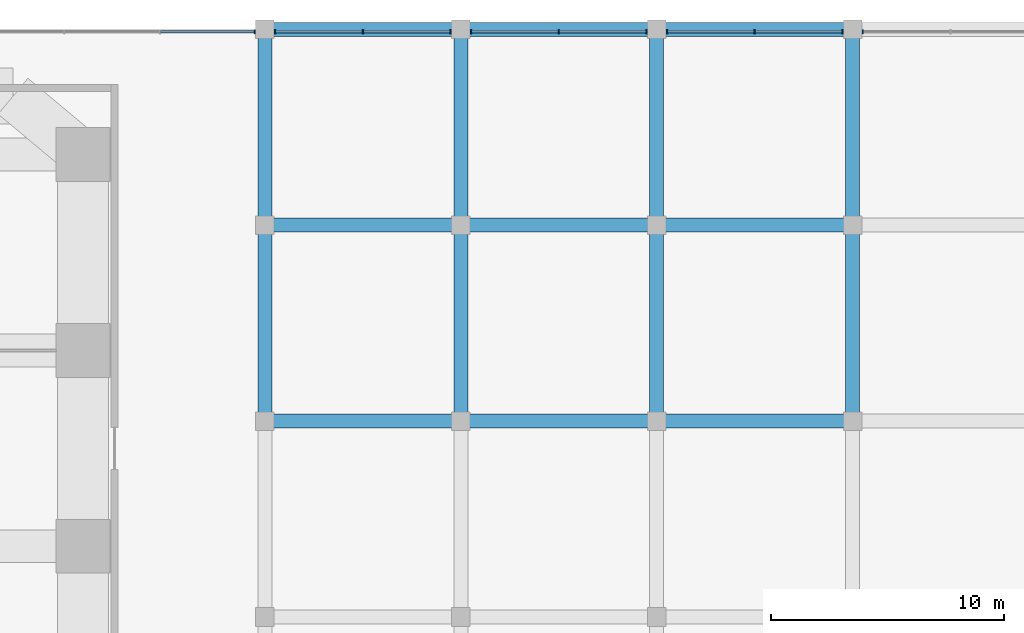
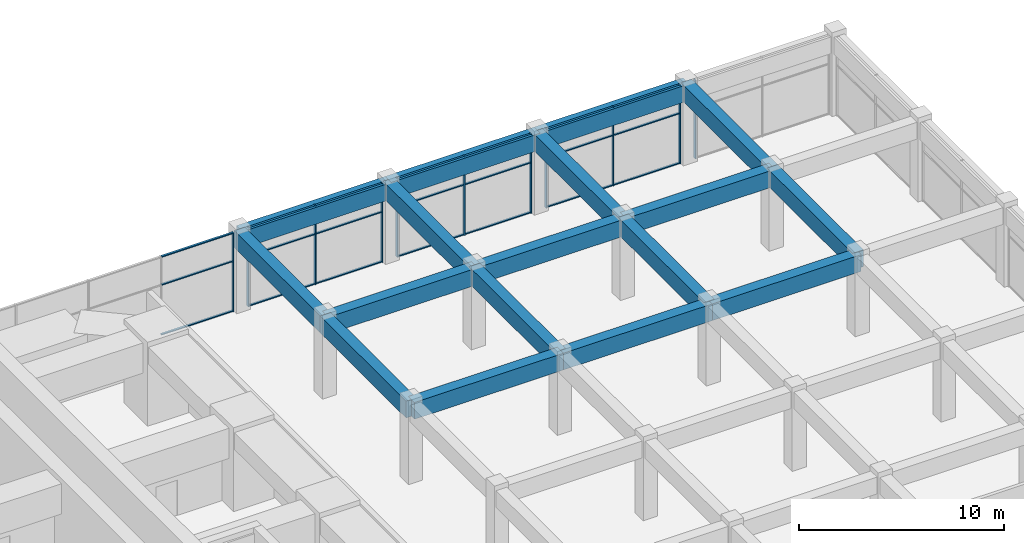
# One storey, part 21 of 34: 32 members, 17 beams, 5 elements without a shape of their own.
"""IFC4 building model written with IfcOpenShell, lengths in metres."""

from ifc_helpers import new_model, si_unit, direction, frame, origin, origin_2d, place, context, subcontext, project, spatial, rectangle, extrude, material, material_profile, profile_set, type_object, element, aggregate, save


model = new_model("IFC4")

# Units and contexts
model_context = context("Model", 3, precision=1e-05, world=origin(), true_north=direction((0.0, 1.0)))
body_context = subcontext(model_context, "Body", "Model", "MODEL_VIEW")
ifc_project = project(units=[si_unit("LENGTHUNIT", "METRE"), si_unit("AREAUNIT", "SQUARE_METRE"), si_unit("VOLUMEUNIT", "CUBIC_METRE"), si_unit("PLANEANGLEUNIT", "RADIAN"), si_unit("MASSUNIT", "GRAM", prefix="KILO")], contexts=[model_context])

# Site, building, storey
site_placement = place(None, origin())
site = spatial("IfcSite", under=ifc_project, at=site_placement, CompositionType="ELEMENT")
building_placement = place(site_placement, origin())
building = spatial("IfcBuilding", under=site, at=building_placement, Name="Impinga Residences", CompositionType="ELEMENT")
storey_placement = place(building_placement, frame((0.0, 0.0, 16.0)))
storey = spatial("IfcBuildingStorey", under=building, at=storey_placement, Name="L03", CompositionType="ELEMENT", Elevation=16.0)

# Curtain wall, member
ifc_material_1 = material(Name="Aluminium stick curtain wall", Category="aluminium")
curtain_wall_type = type_object("IfcCurtainWallType", Name="CW1 podium amenity curtain wall", PredefinedType="USERDEFINED", material=ifc_material_1)
curtain_wall_1_placement = place(storey_placement, origin())
curtain_wall_1 = element("IfcCurtainWall", 1, at=curtain_wall_1_placement, inside=storey, type_object=curtain_wall_type, Name="Curtain wall CW1 L03", ObjectType="STICK CURTAIN WALL", PredefinedType="USERDEFINED")
ifc_material_2 = material(Name="Aluminium mullion", Category="aluminium")
ifc_material_profile_1 = material_profile(ifc_material_2, rectangle(XDim=0.06005859375, YDim=0.179931640625, at=origin_2d()), Name="60x180 mullion")
ifc_profile_set_1 = profile_set([ifc_material_profile_1], Name="Aluminium mullion")
member_type_1 = type_object("IfcMemberType", Name="CW1-M mullion 60x180", PredefinedType="MULLION", material=ifc_profile_set_1)
member_1_placement = place(storey_placement, frame((16.366943359375, 50.300048828125, 0.0), z_axis=(0.0, 0.0, 1.0), x_axis=(1.0, 0.0, 0.0)))
member_1 = element("IfcMember", 2, at=member_1_placement, type_object=member_type_1, Name="CW1 mullion 9", PredefinedType="MULLION", context=body_context, shape_type="SweptSolid", body=[
    extrude(rectangle(XDim=0.06005859375, YDim=0.179931640625, at=origin_2d()), origin(), (0.0, 0.0, 1.0), 4.699951171875),
])

# Curtain wall, members
curtain_wall_2_placement = place(storey_placement, origin())
curtain_wall_2 = element("IfcCurtainWall", 3, at=curtain_wall_2_placement, inside=storey, type_object=curtain_wall_type, Name="Curtain wall CW1 L03", ObjectType="STICK CURTAIN WALL", PredefinedType="USERDEFINED")
member_2_placement = place(storey_placement, frame((17.23291015625, 50.300048828125, 0.0), z_axis=(0.0, 0.0, 1.0), x_axis=(1.0, 0.0, 0.0)))
member_2 = element("IfcMember", 4, at=member_2_placement, type_object=member_type_1, Name="CW1 mullion 1", PredefinedType="MULLION", context=body_context, shape_type="SweptSolid", body=[
    extrude(rectangle(XDim=0.06005859375, YDim=0.179931640625, at=origin_2d()), origin(), (0.0, 0.0, 1.0), 4.699951171875),
])
member_3_placement = place(storey_placement, frame((21.0, 50.300048828125, 0.0), z_axis=(0.0, 0.0, 1.0), x_axis=(1.0, 0.0, 0.0)))
member_3 = element("IfcMember", 5, at=member_3_placement, type_object=member_type_1, Name="CW1 mullion 2", PredefinedType="MULLION", context=body_context, shape_type="SweptSolid", body=[
    extrude(rectangle(XDim=0.06005859375, YDim=0.179931640625, at=origin_2d()), origin(), (0.0, 0.0, 1.0), 4.699951171875),
])
member_4_placement = place(storey_placement, frame((24.76708984375, 50.300048828125, 0.0), z_axis=(0.0, 0.0, 1.0), x_axis=(1.0, 0.0, 0.0)))
member_4 = element("IfcMember", 6, at=member_4_placement, type_object=member_type_1, Name="CW1 mullion 3", PredefinedType="MULLION", context=body_context, shape_type="SweptSolid", body=[
    extrude(rectangle(XDim=0.06005859375, YDim=0.179931640625, at=origin_2d()), origin(), (0.0, 0.0, 1.0), 4.699951171875),
])

curtain_wall_3_placement = place(storey_placement, origin())
curtain_wall_3 = element("IfcCurtainWall", 7, at=curtain_wall_3_placement, inside=storey, type_object=curtain_wall_type, Name="Curtain wall CW1 L03", ObjectType="STICK CURTAIN WALL", PredefinedType="USERDEFINED")
member_5_placement = place(storey_placement, frame((25.633056640625, 50.300048828125, 0.0), z_axis=(0.0, 0.0, 1.0), x_axis=(1.0, 0.0, 0.0)))
member_5 = element("IfcMember", 8, at=member_5_placement, type_object=member_type_1, Name="CW1 mullion 1", PredefinedType="MULLION", context=body_context, shape_type="SweptSolid", body=[
    extrude(rectangle(XDim=0.06005859375, YDim=0.179931640625, at=origin_2d()), origin(), (0.0, 0.0, 1.0), 4.699951171875),
])
member_6_placement = place(storey_placement, frame((29.39990234375, 50.300048828125, 0.0), z_axis=(0.0, 0.0, 1.0), x_axis=(1.0, 0.0, 0.0)))
member_6 = element("IfcMember", 9, at=member_6_placement, type_object=member_type_1, Name="CW1 mullion 2", PredefinedType="MULLION", context=body_context, shape_type="SweptSolid", body=[
    extrude(rectangle(XDim=0.06005859375, YDim=0.179931640625, at=origin_2d()), origin(), (0.0, 0.0, 1.0), 4.699951171875),
])
member_7_placement = place(storey_placement, frame((33.1669921875, 50.300048828125, 0.0), z_axis=(0.0, 0.0, 1.0), x_axis=(1.0, 0.0, 0.0)))
member_7 = element("IfcMember", 10, at=member_7_placement, type_object=member_type_1, Name="CW1 mullion 3", PredefinedType="MULLION", context=body_context, shape_type="SweptSolid", body=[
    extrude(rectangle(XDim=0.06005859375, YDim=0.179931640625, at=origin_2d()), origin(), (0.0, 0.0, 1.0), 4.699951171875),
])

curtain_wall_4_placement = place(storey_placement, origin())
curtain_wall_4 = element("IfcCurtainWall", 11, at=curtain_wall_4_placement, inside=storey, type_object=curtain_wall_type, Name="Curtain wall CW1 L03", ObjectType="STICK CURTAIN WALL", PredefinedType="USERDEFINED")
member_8_placement = place(storey_placement, frame((34.032958984375, 50.300048828125, 0.0), z_axis=(0.0, 0.0, 1.0), x_axis=(1.0, 0.0, 0.0)))
member_8 = element("IfcMember", 12, at=member_8_placement, type_object=member_type_1, Name="CW1 mullion 1", PredefinedType="MULLION", context=body_context, shape_type="SweptSolid", body=[
    extrude(rectangle(XDim=0.06005859375, YDim=0.179931640625, at=origin_2d()), origin(), (0.0, 0.0, 1.0), 4.699951171875),
])
member_9_placement = place(storey_placement, frame((37.800048828125, 50.300048828125, 0.0), z_axis=(0.0, 0.0, 1.0), x_axis=(1.0, 0.0, 0.0)))
member_9 = element("IfcMember", 13, at=member_9_placement, type_object=member_type_1, Name="CW1 mullion 2", PredefinedType="MULLION", context=body_context, shape_type="SweptSolid", body=[
    extrude(rectangle(XDim=0.06005859375, YDim=0.179931640625, at=origin_2d()), origin(), (0.0, 0.0, 1.0), 4.699951171875),
])
member_10_placement = place(storey_placement, frame((41.56689453125, 50.300048828125, 0.0), z_axis=(0.0, 0.0, 1.0), x_axis=(1.0, 0.0, 0.0)))
member_10 = element("IfcMember", 14, at=member_10_placement, type_object=member_type_1, Name="CW1 mullion 3", PredefinedType="MULLION", context=body_context, shape_type="SweptSolid", body=[
    extrude(rectangle(XDim=0.06005859375, YDim=0.179931640625, at=origin_2d()), origin(), (0.0, 0.0, 1.0), 4.699951171875),
])

# Curtain wall, member
curtain_wall_5_placement = place(storey_placement, origin())
curtain_wall_5 = element("IfcCurtainWall", 15, at=curtain_wall_5_placement, inside=storey, type_object=curtain_wall_type, Name="Curtain wall CW1 L03", ObjectType="STICK CURTAIN WALL", PredefinedType="USERDEFINED")
member_11_placement = place(storey_placement, frame((42.43310546875, 50.300048828125, 0.0), z_axis=(0.0, 0.0, 1.0), x_axis=(1.0, 0.0, 0.0)))
member_11 = element("IfcMember", 16, at=member_11_placement, type_object=member_type_1, Name="CW1 mullion 1", PredefinedType="MULLION", context=body_context, shape_type="SweptSolid", body=[
    extrude(rectangle(XDim=0.06005859375, YDim=0.179931640625, at=origin_2d()), origin(), (0.0, 0.0, 1.0), 4.699951171875),
])
aggregate(curtain_wall_5, [member_11])

# Member
ifc_material_3 = material(Name="Aluminium transom", Category="aluminium")
ifc_material_profile_2 = material_profile(ifc_material_3, rectangle(XDim=0.06005859375, YDim=0.1201171875, at=origin_2d()), Name="60x120 transom")
ifc_profile_set_2 = profile_set([ifc_material_profile_2], Name="Aluminium transom")
member_type_2 = type_object("IfcMemberType", Name="CW1-T transom 60x120", PredefinedType="USERDEFINED", material=ifc_profile_set_2)
member_12_placement = place(storey_placement, frame((12.32763671875, 50.300048828125, 0.030029296875), z_axis=(1.0, 0.0, 0.0), x_axis=(0.0, 0.0, 1.0)))
member_12 = element("IfcMember", 17, at=member_12_placement, type_object=member_type_2, Name="CW1 transom 8.1", ObjectType="TRANSOM", PredefinedType="USERDEFINED", context=body_context, shape_type="SweptSolid", body=[
    extrude(rectangle(XDim=0.06005859375, YDim=0.1201171875, at=origin_2d()), origin(), (0.0, 0.0, 1.0), 4.00927734375),
])

member_13_placement = place(storey_placement, frame((12.32763671875, 50.300048828125, 3.0), z_axis=(1.0, 0.0, 0.0), x_axis=(0.0, 0.0, 1.0)))
member_13 = element("IfcMember", 18, at=member_13_placement, type_object=member_type_2, Name="CW1 transom 8.2", ObjectType="TRANSOM", PredefinedType="USERDEFINED", context=body_context, shape_type="SweptSolid", body=[
    extrude(rectangle(XDim=0.06005859375, YDim=0.1201171875, at=origin_2d()), origin(), (0.0, 0.0, 1.0), 4.00927734375),
])

member_14_placement = place(storey_placement, frame((12.32763671875, 50.300048828125, 4.669921875), z_axis=(1.0, 0.0, 0.0), x_axis=(0.0, 0.0, 1.0)))
member_14 = element("IfcMember", 19, at=member_14_placement, type_object=member_type_2, Name="CW1 transom 8.3", ObjectType="TRANSOM", PredefinedType="USERDEFINED", context=body_context, shape_type="SweptSolid", body=[
    extrude(rectangle(XDim=0.06005859375, YDim=0.1201171875, at=origin_2d()), origin(), (0.0, 0.0, 1.0), 4.00927734375),
])

aggregate(curtain_wall_1, [member_1, member_12, member_13, member_14])

member_15_placement = place(storey_placement, frame((17.262939453125, 50.300048828125, 0.030029296875), z_axis=(1.0, 0.0, 0.0), x_axis=(0.0, 0.0, 1.0)))
member_15 = element("IfcMember", 20, at=member_15_placement, type_object=member_type_2, Name="CW1 transom 1.1", ObjectType="TRANSOM", PredefinedType="USERDEFINED", context=body_context, shape_type="SweptSolid", body=[
    extrude(rectangle(XDim=0.06005859375, YDim=0.1201171875, at=origin_2d()), origin(), (0.0, 0.0, 1.0), 3.70703125),
])

member_16_placement = place(storey_placement, frame((17.262939453125, 50.300048828125, 3.0), z_axis=(1.0, 0.0, 0.0), x_axis=(0.0, 0.0, 1.0)))
member_16 = element("IfcMember", 21, at=member_16_placement, type_object=member_type_2, Name="CW1 transom 1.2", ObjectType="TRANSOM", PredefinedType="USERDEFINED", context=body_context, shape_type="SweptSolid", body=[
    extrude(rectangle(XDim=0.06005859375, YDim=0.1201171875, at=origin_2d()), origin(), (0.0, 0.0, 1.0), 3.70703125),
])

member_17_placement = place(storey_placement, frame((17.262939453125, 50.300048828125, 4.669921875), z_axis=(1.0, 0.0, 0.0), x_axis=(0.0, 0.0, 1.0)))
member_17 = element("IfcMember", 22, at=member_17_placement, type_object=member_type_2, Name="CW1 transom 1.3", ObjectType="TRANSOM", PredefinedType="USERDEFINED", context=body_context, shape_type="SweptSolid", body=[
    extrude(rectangle(XDim=0.06005859375, YDim=0.1201171875, at=origin_2d()), origin(), (0.0, 0.0, 1.0), 3.70703125),
])

member_18_placement = place(storey_placement, frame((21.030029296875, 50.300048828125, 0.030029296875), z_axis=(1.0, 0.0, 0.0), x_axis=(0.0, 0.0, 1.0)))
member_18 = element("IfcMember", 23, at=member_18_placement, type_object=member_type_2, Name="CW1 transom 2.1", ObjectType="TRANSOM", PredefinedType="USERDEFINED", context=body_context, shape_type="SweptSolid", body=[
    extrude(rectangle(XDim=0.06005859375, YDim=0.1201171875, at=origin_2d()), origin(), (0.0, 0.0, 1.0), 3.70703125),
])

member_19_placement = place(storey_placement, frame((21.030029296875, 50.300048828125, 3.0), z_axis=(1.0, 0.0, 0.0), x_axis=(0.0, 0.0, 1.0)))
member_19 = element("IfcMember", 24, at=member_19_placement, type_object=member_type_2, Name="CW1 transom 2.2", ObjectType="TRANSOM", PredefinedType="USERDEFINED", context=body_context, shape_type="SweptSolid", body=[
    extrude(rectangle(XDim=0.06005859375, YDim=0.1201171875, at=origin_2d()), origin(), (0.0, 0.0, 1.0), 3.70703125),
])

member_20_placement = place(storey_placement, frame((21.030029296875, 50.300048828125, 4.669921875), z_axis=(1.0, 0.0, 0.0), x_axis=(0.0, 0.0, 1.0)))
member_20 = element("IfcMember", 25, at=member_20_placement, type_object=member_type_2, Name="CW1 transom 2.3", ObjectType="TRANSOM", PredefinedType="USERDEFINED", context=body_context, shape_type="SweptSolid", body=[
    extrude(rectangle(XDim=0.06005859375, YDim=0.1201171875, at=origin_2d()), origin(), (0.0, 0.0, 1.0), 3.70703125),
])

aggregate(curtain_wall_2, [member_2, member_3, member_4, member_15, member_16, member_17, member_18, member_19, member_20])

member_21_placement = place(storey_placement, frame((25.6630859375, 50.300048828125, 0.030029296875), z_axis=(1.0, 0.0, 0.0), x_axis=(0.0, 0.0, 1.0)))
member_21 = element("IfcMember", 26, at=member_21_placement, type_object=member_type_2, Name="CW1 transom 1.1", ObjectType="TRANSOM", PredefinedType="USERDEFINED", context=body_context, shape_type="SweptSolid", body=[
    extrude(rectangle(XDim=0.06005859375, YDim=0.1201171875, at=origin_2d()), origin(), (0.0, 0.0, 1.0), 3.70703125),
])

member_22_placement = place(storey_placement, frame((25.6630859375, 50.300048828125, 3.0), z_axis=(1.0, 0.0, 0.0), x_axis=(0.0, 0.0, 1.0)))
member_22 = element("IfcMember", 27, at=member_22_placement, type_object=member_type_2, Name="CW1 transom 1.2", ObjectType="TRANSOM", PredefinedType="USERDEFINED", context=body_context, shape_type="SweptSolid", body=[
    extrude(rectangle(XDim=0.06005859375, YDim=0.1201171875, at=origin_2d()), origin(), (0.0, 0.0, 1.0), 3.70703125),
])

member_23_placement = place(storey_placement, frame((25.6630859375, 50.300048828125, 4.669921875), z_axis=(1.0, 0.0, 0.0), x_axis=(0.0, 0.0, 1.0)))
member_23 = element("IfcMember", 28, at=member_23_placement, type_object=member_type_2, Name="CW1 transom 1.3", ObjectType="TRANSOM", PredefinedType="USERDEFINED", context=body_context, shape_type="SweptSolid", body=[
    extrude(rectangle(XDim=0.06005859375, YDim=0.1201171875, at=origin_2d()), origin(), (0.0, 0.0, 1.0), 3.70703125),
])

member_24_placement = place(storey_placement, frame((29.429931640625, 50.300048828125, 0.030029296875), z_axis=(1.0, 0.0, 0.0), x_axis=(0.0, 0.0, 1.0)))
member_24 = element("IfcMember", 29, at=member_24_placement, type_object=member_type_2, Name="CW1 transom 2.1", ObjectType="TRANSOM", PredefinedType="USERDEFINED", context=body_context, shape_type="SweptSolid", body=[
    extrude(rectangle(XDim=0.06005859375, YDim=0.1201171875, at=origin_2d()), origin(), (0.0, 0.0, 1.0), 3.70703125),
])

member_25_placement = place(storey_placement, frame((29.429931640625, 50.300048828125, 3.0), z_axis=(1.0, 0.0, 0.0), x_axis=(0.0, 0.0, 1.0)))
member_25 = element("IfcMember", 30, at=member_25_placement, type_object=member_type_2, Name="CW1 transom 2.2", ObjectType="TRANSOM", PredefinedType="USERDEFINED", context=body_context, shape_type="SweptSolid", body=[
    extrude(rectangle(XDim=0.06005859375, YDim=0.1201171875, at=origin_2d()), origin(), (0.0, 0.0, 1.0), 3.70703125),
])

member_26_placement = place(storey_placement, frame((29.429931640625, 50.300048828125, 4.669921875), z_axis=(1.0, 0.0, 0.0), x_axis=(0.0, 0.0, 1.0)))
member_26 = element("IfcMember", 31, at=member_26_placement, type_object=member_type_2, Name="CW1 transom 2.3", ObjectType="TRANSOM", PredefinedType="USERDEFINED", context=body_context, shape_type="SweptSolid", body=[
    extrude(rectangle(XDim=0.06005859375, YDim=0.1201171875, at=origin_2d()), origin(), (0.0, 0.0, 1.0), 3.70703125),
])

aggregate(curtain_wall_3, [member_5, member_6, member_7, member_21, member_22, member_23, member_24, member_25, member_26])

member_27_placement = place(storey_placement, frame((34.06298828125, 50.300048828125, 0.030029296875), z_axis=(1.0, 0.0, 0.0), x_axis=(0.0, 0.0, 1.0)))
member_27 = element("IfcMember", 32, at=member_27_placement, type_object=member_type_2, Name="CW1 transom 1.1", ObjectType="TRANSOM", PredefinedType="USERDEFINED", context=body_context, shape_type="SweptSolid", body=[
    extrude(rectangle(XDim=0.06005859375, YDim=0.1201171875, at=origin_2d()), origin(), (0.0, 0.0, 1.0), 3.70703125),
])

member_28_placement = place(storey_placement, frame((34.06298828125, 50.300048828125, 3.0), z_axis=(1.0, 0.0, 0.0), x_axis=(0.0, 0.0, 1.0)))
member_28 = element("IfcMember", 33, at=member_28_placement, type_object=member_type_2, Name="CW1 transom 1.2", ObjectType="TRANSOM", PredefinedType="USERDEFINED", context=body_context, shape_type="SweptSolid", body=[
    extrude(rectangle(XDim=0.06005859375, YDim=0.1201171875, at=origin_2d()), origin(), (0.0, 0.0, 1.0), 3.70703125),
])

member_29_placement = place(storey_placement, frame((34.06298828125, 50.300048828125, 4.669921875), z_axis=(1.0, 0.0, 0.0), x_axis=(0.0, 0.0, 1.0)))
member_29 = element("IfcMember", 34, at=member_29_placement, type_object=member_type_2, Name="CW1 transom 1.3", ObjectType="TRANSOM", PredefinedType="USERDEFINED", context=body_context, shape_type="SweptSolid", body=[
    extrude(rectangle(XDim=0.06005859375, YDim=0.1201171875, at=origin_2d()), origin(), (0.0, 0.0, 1.0), 3.70703125),
])

member_30_placement = place(storey_placement, frame((37.830078125, 50.300048828125, 0.030029296875), z_axis=(1.0, 0.0, 0.0), x_axis=(0.0, 0.0, 1.0)))
member_30 = element("IfcMember", 35, at=member_30_placement, type_object=member_type_2, Name="CW1 transom 2.1", ObjectType="TRANSOM", PredefinedType="USERDEFINED", context=body_context, shape_type="SweptSolid", body=[
    extrude(rectangle(XDim=0.06005859375, YDim=0.1201171875, at=origin_2d()), origin(), (0.0, 0.0, 1.0), 3.70703125),
])

member_31_placement = place(storey_placement, frame((37.830078125, 50.300048828125, 3.0), z_axis=(1.0, 0.0, 0.0), x_axis=(0.0, 0.0, 1.0)))
member_31 = element("IfcMember", 36, at=member_31_placement, type_object=member_type_2, Name="CW1 transom 2.2", ObjectType="TRANSOM", PredefinedType="USERDEFINED", context=body_context, shape_type="SweptSolid", body=[
    extrude(rectangle(XDim=0.06005859375, YDim=0.1201171875, at=origin_2d()), origin(), (0.0, 0.0, 1.0), 3.70703125),
])

member_32_placement = place(storey_placement, frame((37.830078125, 50.300048828125, 4.669921875), z_axis=(1.0, 0.0, 0.0), x_axis=(0.0, 0.0, 1.0)))
member_32 = element("IfcMember", 37, at=member_32_placement, type_object=member_type_2, Name="CW1 transom 2.3", ObjectType="TRANSOM", PredefinedType="USERDEFINED", context=body_context, shape_type="SweptSolid", body=[
    extrude(rectangle(XDim=0.06005859375, YDim=0.1201171875, at=origin_2d()), origin(), (0.0, 0.0, 1.0), 3.70703125),
])

aggregate(curtain_wall_4, [member_8, member_9, member_10, member_27, member_28, member_29, member_30, member_31, member_32])

# Beams
ifc_material_4 = material(Name="Concrete C60/75", Category="concrete")
ifc_material_profile_3 = material_profile(ifc_material_4, rectangle(XDim=0.60009765625, YDim=1.0, at=origin_2d()), Name="RC 600x1000")
ifc_profile_set_3 = profile_set([ifc_material_profile_3], Name="Concrete C60/75")
beam_type = type_object("IfcBeamType", Name="PB2 600x1000 podium beam", PredefinedType="BEAM", material=ifc_profile_set_3)
beam_1_placement = place(storey_placement, frame((16.800048828125, 33.60009765625, 4.199951171875), z_axis=(1.0, 0.0, 0.0), x_axis=(0.0, 1.0, 0.0)))
element("IfcBeam", 38, at=beam_1_placement, inside=storey, type_object=beam_type, Name="Beam PB2 K/9-10 level L04", PredefinedType="BEAM", context=body_context, shape_type="SweptSolid", body=[
    extrude(rectangle(XDim=0.60009765625, YDim=1.0, at=origin_2d()), origin(), (0.0, 0.0, 1.0), 8.39990234375),
])
beam_2_placement = place(storey_placement, frame((25.199951171875, 33.60009765625, 4.199951171875), z_axis=(1.0, 0.0, 0.0), x_axis=(0.0, 1.0, 0.0)))
element("IfcBeam", 39, at=beam_2_placement, inside=storey, type_object=beam_type, Name="Beam PB2 K/10-11 level L04", PredefinedType="BEAM", context=body_context, shape_type="SweptSolid", body=[
    extrude(rectangle(XDim=0.60009765625, YDim=1.0, at=origin_2d()), origin(), (0.0, 0.0, 1.0), 8.400146484375),
])
for number, where, z_axis, x_axis, name in (
    (40, (33.60009765625, 33.60009765625, 4.199951171875), (1.0, 0.0, 0.0), (0.0, 1.0, 0.0), "Beam PB2 K/11-12 level L04"),
    (41, (16.800048828125, 42.0, 4.199951171875), (1.0, 0.0, 0.0), (0.0, 1.0, 0.0), "Beam PB2 L/9-10 level L04"),
):
    element("IfcBeam", number, at=place(storey_placement, frame(where, z_axis=z_axis, x_axis=x_axis)), inside=storey, type_object=beam_type, Name=name, PredefinedType="BEAM", context=body_context, shape_type="SweptSolid", body=[
        extrude(rectangle(XDim=0.60009765625, YDim=1.0, at=origin_2d()), origin(), (0.0, 0.0, 1.0), 8.39990234375),
    ])
beam_3_placement = place(storey_placement, frame((25.199951171875, 42.0, 4.199951171875), z_axis=(1.0, 0.0, 0.0), x_axis=(0.0, 1.0, 0.0)))
element("IfcBeam", 42, at=beam_3_placement, inside=storey, type_object=beam_type, Name="Beam PB2 L/10-11 level L04", PredefinedType="BEAM", context=body_context, shape_type="SweptSolid", body=[
    extrude(rectangle(XDim=0.60009765625, YDim=1.0, at=origin_2d()), origin(), (0.0, 0.0, 1.0), 8.400146484375),
])
for number, where, z_axis, x_axis, name in (
    (43, (33.60009765625, 42.0, 4.199951171875), (1.0, 0.0, 0.0), (0.0, 1.0, 0.0), "Beam PB2 L/11-12 level L04"),
    (44, (16.800048828125, 50.39990234375, 4.199951171875), (1.0, 0.0, 0.0), (0.0, 1.0, 0.0), "Beam PB2 M/9-10 level L04"),
):
    element("IfcBeam", number, at=place(storey_placement, frame(where, z_axis=z_axis, x_axis=x_axis)), inside=storey, type_object=beam_type, Name=name, PredefinedType="BEAM", context=body_context, shape_type="SweptSolid", body=[
        extrude(rectangle(XDim=0.60009765625, YDim=1.0, at=origin_2d()), origin(), (0.0, 0.0, 1.0), 8.39990234375),
    ])
beam_4_placement = place(storey_placement, frame((25.199951171875, 50.39990234375, 4.199951171875), z_axis=(1.0, 0.0, 0.0), x_axis=(0.0, 1.0, 0.0)))
element("IfcBeam", 45, at=beam_4_placement, inside=storey, type_object=beam_type, Name="Beam PB2 M/10-11 level L04", PredefinedType="BEAM", context=body_context, shape_type="SweptSolid", body=[
    extrude(rectangle(XDim=0.60009765625, YDim=1.0, at=origin_2d()), origin(), (0.0, 0.0, 1.0), 8.400146484375),
])
for number, where, z_axis, x_axis, name in (
    (46, (33.60009765625, 50.39990234375, 4.199951171875), (1.0, 0.0, 0.0), (0.0, 1.0, 0.0), "Beam PB2 M/11-12 level L04"),
    (47, (16.800048828125, 33.60009765625, 4.199951171875), (0.0, 1.0, 0.0), (-1.0, 0.0, 0.0), "Beam PB2 9/K-L level L04"),
    (48, (16.800048828125, 42.0, 4.199951171875), (0.0, 1.0, 0.0), (-1.0, 0.0, 0.0), "Beam PB2 9/L-M level L04"),
    (49, (25.199951171875, 33.60009765625, 4.199951171875), (0.0, 1.0, 0.0), (-1.0, 0.0, 0.0), "Beam PB2 10/K-L level L04"),
    (50, (25.199951171875, 42.0, 4.199951171875), (0.0, 1.0, 0.0), (-1.0, 0.0, 0.0), "Beam PB2 10/L-M level L04"),
    (51, (33.60009765625, 33.60009765625, 4.199951171875), (0.0, 1.0, 0.0), (-1.0, 0.0, 0.0), "Beam PB2 11/K-L level L04"),
    (52, (33.60009765625, 42.0, 4.199951171875), (0.0, 1.0, 0.0), (-1.0, 0.0, 0.0), "Beam PB2 11/L-M level L04"),
    (53, (42.0, 33.60009765625, 4.199951171875), (0.0, 1.0, 0.0), (-1.0, 0.0, 0.0), "Beam PB2 12/K-L level L04"),
    (54, (42.0, 42.0, 4.199951171875), (0.0, 1.0, 0.0), (-1.0, 0.0, 0.0), "Beam PB2 12/L-M level L04"),
):
    element("IfcBeam", number, at=place(storey_placement, frame(where, z_axis=z_axis, x_axis=x_axis)), inside=storey, type_object=beam_type, Name=name, PredefinedType="BEAM", context=body_context, shape_type="SweptSolid", body=[
        extrude(rectangle(XDim=0.60009765625, YDim=1.0, at=origin_2d()), origin(), (0.0, 0.0, 1.0), 8.39990234375),
    ])

save(model, "model.ifc")
